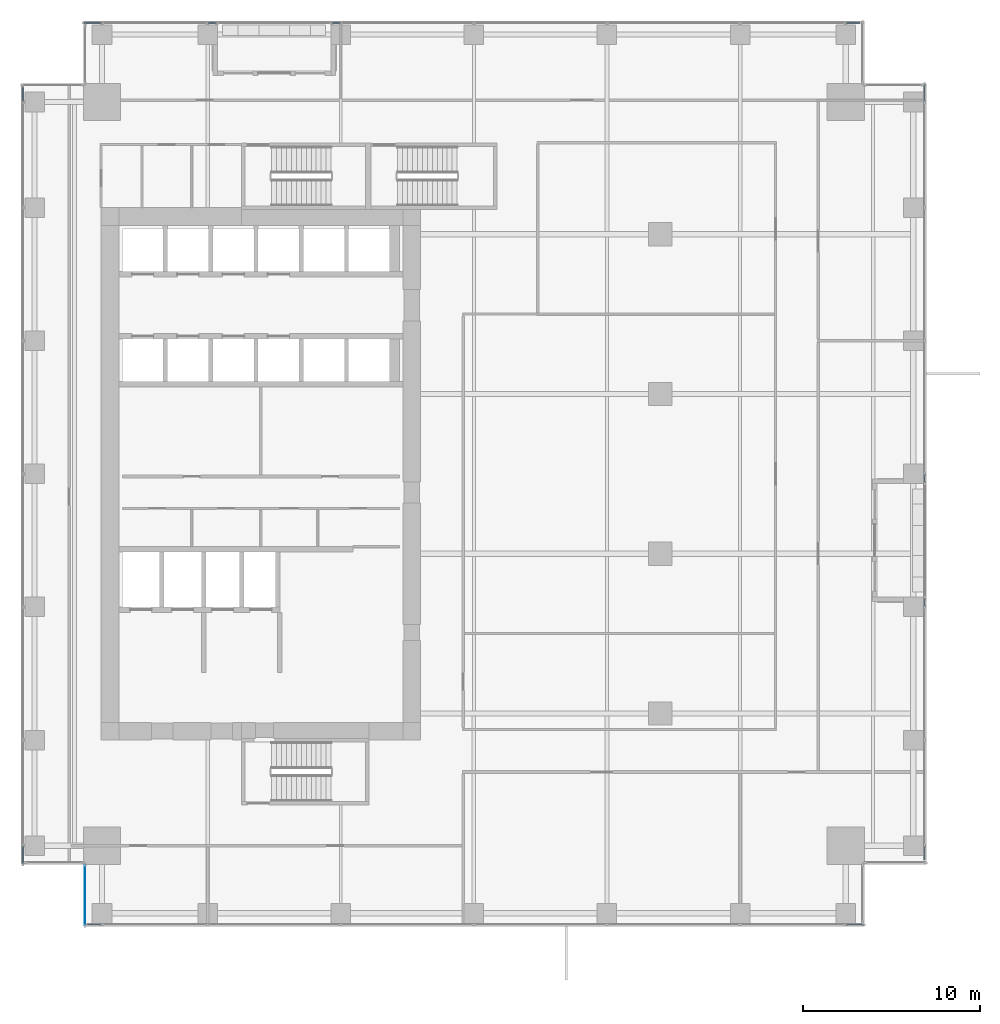
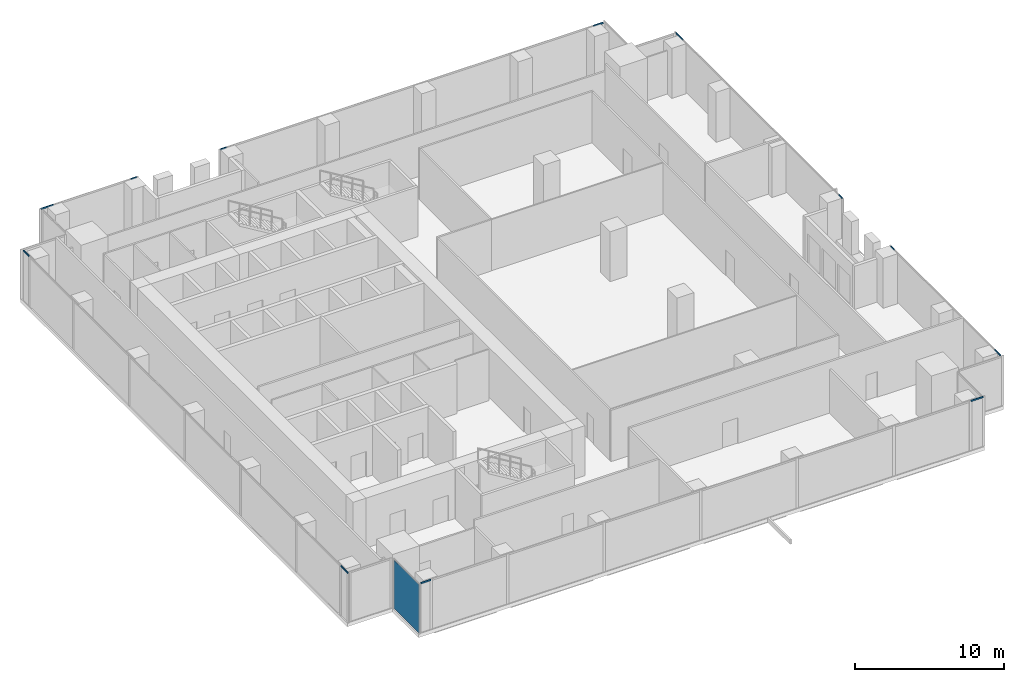
# One storey, part 22 of 34: 12 members, 1 plate, 7 elements without a shape of their own.
"""IFC4 building model written with IfcOpenShell, lengths in metres."""

import ifcopenshell
import ifcopenshell.guid

model = None  # the IFC model being written
_history = None  # IfcOwnerHistory: only IFC2X3 demands one
_inside = {}  # id of a spatial element -> (the spatial element, [elements in it])
_under = {}  # id of a project, library or spatial element -> (it, [spatial elements below it])
_declared = {}  # id of a project -> (the project, [libraries it declares])
_typed = {}  # id of a type object -> (the type object, [elements of that type])
_made_of = {}  # id of a material, layer set ... -> (it, [elements and type objects made of it])


def new_model(schema):
    """Start an empty IFC model of exactly this schema.

    Asked for "IFC4X3", IfcOpenShell would pick the latest addendum, in which some entities
    have other attributes; the version numbers below select the first issue.
    IFC2X3 requires an IfcOwnerHistory on every rooted entity: one is made here for all.
    """
    global model, _history
    if schema == "IFC4X3":
        model = ifcopenshell.file(schema_version=(4, 3, 0, 0))
    else:
        model = ifcopenshell.file(schema=schema)
    _inside.clear()
    _under.clear()
    _declared.clear()
    _typed.clear()
    _made_of.clear()
    _history = None
    if model.schema == "IFC2X3":
        org = make("IfcOrganization", Name="unknown")
        user = make(
            "IfcPersonAndOrganization",
            ThePerson=make("IfcPerson", FamilyName="unknown"),
            TheOrganization=org,
        )
        app = make(
            "IfcApplication",
            ApplicationDeveloper=org,
            Version="unknown",
            ApplicationFullName="unknown",
            ApplicationIdentifier="unknown",
        )
        _history = make(
            "IfcOwnerHistory",
            OwningUser=user,
            OwningApplication=app,
            ChangeAction="ADDED",
            CreationDate=0,
        )
    return model


def make(cls, **values):
    """One entity of the class cls with the attributes given. An attribute that is None is left unset."""
    return model.create_entity(
        cls, **{name: value for name, value in values.items() if value is not None}
    )


def rooted(cls, **values):
    """An entity with a GlobalId (a new one), such as an element, a storey or a relation."""
    return make(cls, GlobalId=ifcopenshell.guid.new(), OwnerHistory=_history, **values)


def si_unit(unit_type, name, prefix=None):
    """IfcSIUnit, for example si_unit("LENGTHUNIT", "METRE", prefix="MILLI")."""
    return make("IfcSIUnit", UnitType=unit_type, Prefix=prefix, Name=name)


def assignment(units):
    """IfcUnitAssignment: the units of a project."""
    return None if units is None else make("IfcUnitAssignment", Units=units)


def point(xyz):
    """IfcCartesianPoint."""
    return None if xyz is None else make("IfcCartesianPoint", Coordinates=xyz)


def direction(xyz):
    """IfcDirection."""
    return None if xyz is None else make("IfcDirection", DirectionRatios=xyz)


def frame(location, z_axis=None, x_axis=None):
    """IfcAxis2Placement3D, a coordinate frame: its origin and axes. An axis left out is left unset."""
    return make(
        "IfcAxis2Placement3D",
        Location=point(location),
        Axis=direction(z_axis),
        RefDirection=direction(x_axis),
    )


def frame_2d(location, x_axis=None):
    """IfcAxis2Placement2D, a coordinate frame in the plane: its origin and x axis."""
    return make(
        "IfcAxis2Placement2D", Location=point(location), RefDirection=direction(x_axis)
    )


def origin():
    """The frame at (0, 0, 0) with its axes left unset."""
    return frame((0.0, 0.0, 0.0))


def origin_2d():
    """The frame at (0, 0) in the plane with its x axis left unset."""
    return frame_2d((0.0, 0.0))


def place(relative_to, where):
    """IfcLocalPlacement: puts the frame where relative to a parent placement (None: the world)."""
    return make(
        "IfcLocalPlacement", PlacementRelTo=relative_to, RelativePlacement=where
    )


def context(
    kind, dimensions, precision=None, world=None, true_north=None, identifier=None
):
    """IfcGeometricRepresentationContext, for example the 3D "Model" context."""
    return make(
        "IfcGeometricRepresentationContext",
        ContextIdentifier=identifier,
        ContextType=kind,
        CoordinateSpaceDimension=dimensions,
        Precision=precision,
        WorldCoordinateSystem=world,
        TrueNorth=true_north,
    )


def subcontext(parent, identifier, kind, view, scale=None):
    """IfcGeometricRepresentationSubContext, for example "Body" below "Model"."""
    return make(
        "IfcGeometricRepresentationSubContext",
        ContextIdentifier=identifier,
        ContextType=kind,
        ParentContext=parent,
        TargetScale=scale,
        TargetView=view,
    )


def project(units=None, contexts=None):
    """IfcProject with its units and contexts."""
    return rooted(
        "IfcProject",
        Name="project",
        RepresentationContexts=contexts,
        UnitsInContext=assignment(units),
    )


def spatial(cls, under=None, at=None, **own):
    """A site, building, storey or space (cls), placed at a placement, below another one or the project."""
    s = rooted(cls, ObjectPlacement=at, **own)
    if under is not None:
        _under.setdefault(under.id(), (under, []))[1].append(s)
    return s


def profile(cls, at=None, kind="AREA", **sizes):
    """A parametric profile (cls). Its sizes go by their IFC names, for example OverallWidth=200.0."""
    return make(cls, ProfileType=kind, Position=at, **sizes)


def rectangle(**sizes):
    """IfcRectangleProfileDef."""
    return profile("IfcRectangleProfileDef", **sizes)


def hollow_rectangle(**sizes):
    """IfcRectangleHollowProfileDef."""
    return profile("IfcRectangleHollowProfileDef", **sizes)


def extrude(swept, where, along, depth):
    """IfcExtrudedAreaSolid: the profile swept, set in the frame where, extruded along a direction by depth."""
    return make(
        "IfcExtrudedAreaSolid",
        SweptArea=swept,
        Position=where,
        ExtrudedDirection=direction(along),
        Depth=depth,
    )


def shape(context_of_items, identifier, shape_type, items):
    """IfcShapeRepresentation: the items that make up one representation, for example the "Body"."""
    return make(
        "IfcShapeRepresentation",
        ContextOfItems=context_of_items,
        RepresentationIdentifier=identifier,
        RepresentationType=shape_type,
        Items=items,
    )


def source(mapping_origin, context_of_items, identifier, shape_type, items):
    """IfcRepresentationMap: a shape defined once, which mapped items show again and again."""
    return make(
        "IfcRepresentationMap",
        MappingOrigin=mapping_origin,
        MappedRepresentation=shape(context_of_items, identifier, shape_type, items),
    )


def transform(
    local_origin,
    x_axis=None,
    y_axis=None,
    z_axis=None,
    scale=None,
    scale2=None,
    scale3=None,
    uniform=True,
):
    """IfcCartesianTransformationOperator3D, or its non-uniform kind. x_axis, y_axis, z_axis: its Axis1, 2, 3."""
    if uniform:
        return make(
            "IfcCartesianTransformationOperator3D",
            Axis1=direction(x_axis),
            Axis2=direction(y_axis),
            LocalOrigin=point(local_origin),
            Scale=scale,
            Axis3=direction(z_axis),
        )
    return make(
        "IfcCartesianTransformationOperator3DnonUniform",
        Axis1=direction(x_axis),
        Axis2=direction(y_axis),
        LocalOrigin=point(local_origin),
        Scale=scale,
        Axis3=direction(z_axis),
        Scale2=scale2,
        Scale3=scale3,
    )


def mapped(mapping_source, mapping_target):
    """IfcMappedItem: shows the shape of a source again, moved by a transform."""
    return make(
        "IfcMappedItem", MappingSource=mapping_source, MappingTarget=mapping_target
    )


def material(Name=None, Category=None):
    """IfcMaterial."""
    return make("IfcMaterial", Name=Name, Category=Category)


def layer(
    of_material, thickness, ventilated=None, Name=None, Category=None, Priority=None
):
    """IfcMaterialLayer: one layer of a wall or slab, of a material (None: an air gap)."""
    return make(
        "IfcMaterialLayer",
        Material=of_material,
        LayerThickness=thickness,
        IsVentilated=ventilated,
        Name=Name,
        Category=Category,
        Priority=Priority,
    )


def layer_set(layers, Name=None):
    """IfcMaterialLayerSet."""
    return make("IfcMaterialLayerSet", MaterialLayers=layers, LayerSetName=Name)


def material_profile(
    of_material, cross_section, Name=None, Category=None, Priority=None
):
    """IfcMaterialProfile: a cross section and its material."""
    return make(
        "IfcMaterialProfile",
        Name=Name,
        Material=of_material,
        Profile=cross_section,
        Priority=Priority,
        Category=Category,
    )


def profile_set(profiles, Name=None, composite=None):
    """IfcMaterialProfileSet."""
    return make(
        "IfcMaterialProfileSet",
        Name=Name,
        MaterialProfiles=profiles,
        CompositeProfile=composite,
    )


def made_of(thing, what):
    """Note that an element or type object is made of a material, layer set ...; save() writes the relation."""
    if what is not None:
        _made_of.setdefault(what.id(), (what, []))[1].append(thing)
    return thing


def type_object(cls, material=None, **own):
    """A type object (cls), such as IfcWallType, which elements share."""
    return made_of(rooted(cls, **own), material)


def element(
    cls,
    number,
    at=None,
    inside=None,
    cuts=None,
    type_object=None,
    material=None,
    context=None,
    identifier="Body",
    shape_type=None,
    held_by="IfcProductDefinitionShape",
    body=None,
    shapes=None,
    **own,
):
    """One element of the class cls, such as IfcWall. Its Tag is "e" and its number.

    at: its placement. inside: the storey or other place that contains it. cuts: it is an
    opening in that element (IfcRelVoidsElement). A single representation is given by context,
    identifier, shape_type and body (its items); several are given by shapes. held_by: the class
    of the entity that holds the representations. save() writes the other relations.
    """
    e = rooted(cls, Tag="e%d" % number, ObjectPlacement=at, **own)
    if body is not None:
        shapes = [shape(context, identifier, shape_type, body)]
    if shapes is not None:
        e.Representation = make(held_by, Representations=shapes)
    if inside is not None:
        _inside.setdefault(inside.id(), (inside, []))[1].append(e)
    if cuts is not None:
        rooted(
            "IfcRelVoidsElement", RelatingBuildingElement=cuts, RelatedOpeningElement=e
        )
    if type_object is not None:
        _typed.setdefault(type_object.id(), (type_object, []))[1].append(e)
    return made_of(e, material)


def aggregate(whole, parts):
    """IfcRelAggregates: a whole, such as a stair, and the parts it consists of."""
    return rooted("IfcRelAggregates", RelatingObject=whole, RelatedObjects=parts)


def save(model, path):
    """Write the relations noted so far, then the file.

    IfcRelAggregates (storeys below a building ...), IfcRelContainedInSpatialStructure (elements
    in a storey), IfcRelDefinesByType, IfcRelAssociatesMaterial and IfcRelDeclares: one each for
    every whole, place, type object, material and project.
    """
    for whole, parts in _under.values():
        aggregate(whole, parts)
    for where, things in _inside.values():
        rooted(
            "IfcRelContainedInSpatialStructure",
            RelatedElements=things,
            RelatingStructure=where,
        )
    for kind, things in _typed.values():
        rooted("IfcRelDefinesByType", RelatedObjects=things, RelatingType=kind)
    for what, things in _made_of.values():
        rooted("IfcRelAssociatesMaterial", RelatedObjects=things, RelatingMaterial=what)
    for by, libraries in _declared.values():
        rooted("IfcRelDeclares", RelatingContext=by, RelatedDefinitions=libraries)
    model.write(path)


model = new_model("IFC4")

# Units and contexts
model_context = context("Model", 3, precision=1e-05, world=origin(), true_north=direction((0.0, 1.0)))
body_context = subcontext(model_context, "Body", "Model", "MODEL_VIEW")
ifc_project = project(units=[si_unit("LENGTHUNIT", "METRE"), si_unit("AREAUNIT", "SQUARE_METRE"), si_unit("VOLUMEUNIT", "CUBIC_METRE"), si_unit("PLANEANGLEUNIT", "RADIAN"), si_unit("MASSUNIT", "GRAM", prefix="KILO")], contexts=[model_context])

# Site, building, storey
site_placement = place(None, origin())
site = spatial("IfcSite", under=ifc_project, at=site_placement, CompositionType="ELEMENT")
building_placement = place(site_placement, origin())
building = spatial("IfcBuilding", under=site, at=building_placement, Name="Khomas Fold Tower", CompositionType="ELEMENT")
storey_placement = place(building_placement, frame((0.0, 0.0, 145.5)))
storey = spatial("IfcBuildingStorey", under=building, at=storey_placement, Name="L31", CompositionType="ELEMENT", Elevation=145.5)

# Curtain wall, member
ifc_material_1 = material(Name="Aluminium framed double glazing", Category="aluminium")
curtain_wall_type = type_object("IfcCurtainWallType", Name="SK-Unitised clear-glass wall, growing floors CW1", PredefinedType="NOTDEFINED", material=ifc_material_1)
curtain_wall_1_placement = place(storey_placement, origin())
curtain_wall_1 = element("IfcCurtainWall", 1, at=curtain_wall_1_placement, inside=storey, type_object=curtain_wall_type, Name="CW1 run L31 00-0", PredefinedType="NOTDEFINED")
ifc_material_2 = material(Name="Aluminium", Category="aluminium")
ifc_material_profile = material_profile(ifc_material_2, hollow_rectangle(XDim=0.06005859375, YDim=0.1201171875, WallThickness=0.00390625, at=origin_2d()), Name="SK-Unitised clear-glass wall, growing floors transom CW1-T")
ifc_profile_set = profile_set([ifc_material_profile], Name="Aluminium")
member_type = type_object("IfcMemberType", Name="SK-Unitised clear-glass wall, growing floors transom CW1-T", PredefinedType="USERDEFINED", material=ifc_profile_set)
shared_shape_1 = source(origin(), body_context, "Body", "SweptSolid", [
    extrude(hollow_rectangle(XDim=0.06005859375, YDim=0.1201171875, WallThickness=0.00390625, at=origin_2d()), origin(), (0.0, 0.0, 1.0), 0.760009765625),
])
member_1_placement = place(storey_placement, frame((5.260009765625, 1.60009765625, 4.0400390625), z_axis=(1.0, 0.0, 0.0), x_axis=(0.0, 1.0, 0.0)))
member_1 = element("IfcMember", 2, at=member_1_placement, type_object=member_type, Name="CW1 transom 1", ObjectType="TRANSOM", PredefinedType="USERDEFINED", context=body_context, shape_type="MappedRepresentation", body=[
    mapped(shared_shape_1, transform((0.0, 0.0, 0.0))),
])

curtain_wall_2_placement = place(storey_placement, origin())
curtain_wall_2 = element("IfcCurtainWall", 3, at=curtain_wall_2_placement, inside=storey, type_object=curtain_wall_type, Name="CW1 run L31 03-0", PredefinedType="NOTDEFINED")
member_2_placement = place(storey_placement, frame((52.39990234375, 5.260009765625, 4.0400390625), z_axis=(0.0, 1.0, 0.0), x_axis=(-1.0, 0.0, 0.0)))
member_2 = element("IfcMember", 4, at=member_2_placement, type_object=member_type, Name="CW1 transom 1", ObjectType="TRANSOM", PredefinedType="USERDEFINED", context=body_context, shape_type="MappedRepresentation", body=[
    mapped(shared_shape_1, transform((0.0, 0.0, 0.0))),
])

curtain_wall_3_placement = place(storey_placement, origin())
curtain_wall_3 = element("IfcCurtainWall", 5, at=curtain_wall_3_placement, inside=storey, type_object=curtain_wall_type, Name="CW1 run L31 06-0", PredefinedType="NOTDEFINED")
member_3_placement = place(storey_placement, frame((48.739990234375, 52.39990234375, 4.0400390625), z_axis=(-1.0, 0.0, 0.0), x_axis=(0.0, -1.0, 0.0)))
member_3 = element("IfcMember", 6, at=member_3_placement, type_object=member_type, Name="CW1 transom 1", ObjectType="TRANSOM", PredefinedType="USERDEFINED", context=body_context, shape_type="MappedRepresentation", body=[
    mapped(shared_shape_1, transform((0.0, 0.0, 0.0))),
])

curtain_wall_4_placement = place(storey_placement, origin())
curtain_wall_4 = element("IfcCurtainWall", 7, at=curtain_wall_4_placement, inside=storey, type_object=curtain_wall_type, Name="CW1 run L31 09-0", PredefinedType="NOTDEFINED")
member_4_placement = place(storey_placement, frame((1.60009765625, 48.739990234375, 4.0400390625), z_axis=(0.0, -1.0, 0.0), x_axis=(1.0, 0.0, 0.0)))
member_4 = element("IfcMember", 8, at=member_4_placement, type_object=member_type, Name="CW1 transom 1", ObjectType="TRANSOM", PredefinedType="USERDEFINED", context=body_context, shape_type="MappedRepresentation", body=[
    mapped(shared_shape_1, transform((0.0, 0.0, 0.0))),
])

# Member
shared_shape_2 = source(origin(), body_context, "Body", "SweptSolid", [
    extrude(hollow_rectangle(XDim=0.06005859375, YDim=0.1201171875, WallThickness=0.00390625, at=origin_2d()), origin(), (0.0, 0.0, 1.0), 0.9599609375),
])
member_5_placement = place(storey_placement, frame((47.97998046875, 1.60009765625, 4.0400390625), z_axis=(1.0, 0.0, 0.0), x_axis=(0.0, 1.0, 0.0)))
member_5 = element("IfcMember", 9, at=member_5_placement, type_object=member_type, Name="CW1 transom 8", ObjectType="TRANSOM", PredefinedType="USERDEFINED", context=body_context, shape_type="MappedRepresentation", body=[
    mapped(shared_shape_2, transform((0.0, 0.0, 0.0))),
])

aggregate(curtain_wall_1, [member_1, member_5])

# Curtain wall, member
curtain_wall_5_placement = place(storey_placement, origin())
curtain_wall_5 = element("IfcCurtainWall", 10, at=curtain_wall_5_placement, inside=storey, type_object=curtain_wall_type, Name="CW1 run L31 03-1", PredefinedType="NOTDEFINED")
member_6_placement = place(storey_placement, frame((52.39990234375, 47.97998046875, 4.0400390625), z_axis=(0.0, 1.0, 0.0), x_axis=(-1.0, 0.0, 0.0)))
member_6 = element("IfcMember", 11, at=member_6_placement, type_object=member_type, Name="CW1 transom 5", ObjectType="TRANSOM", PredefinedType="USERDEFINED", context=body_context, shape_type="MappedRepresentation", body=[
    mapped(shared_shape_2, transform((0.0, 0.0, 0.0))),
])

curtain_wall_6_placement = place(storey_placement, origin())
curtain_wall_6 = element("IfcCurtainWall", 12, at=curtain_wall_6_placement, inside=storey, type_object=curtain_wall_type, Name="CW1 run L31 06-1", PredefinedType="NOTDEFINED")
member_7_placement = place(storey_placement, frame((6.02001953125, 52.39990234375, 4.0400390625), z_axis=(-1.0, 0.0, 0.0), x_axis=(0.0, -1.0, 0.0)))
member_7 = element("IfcMember", 13, at=member_7_placement, type_object=member_type, Name="CW1 transom 3", ObjectType="TRANSOM", PredefinedType="USERDEFINED", context=body_context, shape_type="MappedRepresentation", body=[
    mapped(shared_shape_2, transform((0.0, 0.0, 0.0))),
])

# Member
member_8_placement = place(storey_placement, frame((1.60009765625, 6.02001953125, 4.0400390625), z_axis=(0.0, -1.0, 0.0), x_axis=(1.0, 0.0, 0.0)))
member_8 = element("IfcMember", 14, at=member_8_placement, type_object=member_type, Name="CW1 transom 8", ObjectType="TRANSOM", PredefinedType="USERDEFINED", context=body_context, shape_type="MappedRepresentation", body=[
    mapped(shared_shape_2, transform((0.0, 0.0, 0.0))),
])

aggregate(curtain_wall_4, [member_4, member_8])

shared_shape_3 = source(origin(), body_context, "Body", "SweptSolid", [
    extrude(hollow_rectangle(XDim=0.06005859375, YDim=0.1201171875, WallThickness=0.00390625, at=origin_2d()), origin(), (0.0, 0.0, 1.0), 0.4599609375),
])
member_9_placement = place(storey_placement, frame((52.39990234375, 19.530029296875, 4.0400390625), z_axis=(0.0, 1.0, 0.0), x_axis=(-1.0, 0.0, 0.0)))
member_9 = element("IfcMember", 15, at=member_9_placement, type_object=member_type, Name="CW1 transom 4", ObjectType="TRANSOM", PredefinedType="USERDEFINED", context=body_context, shape_type="MappedRepresentation", body=[
    mapped(shared_shape_3, transform((0.0, 0.0, 0.0))),
])

aggregate(curtain_wall_2, [member_2, member_9])

member_10_placement = place(storey_placement, frame((52.39990234375, 26.510009765625, 4.0400390625), z_axis=(0.0, 1.0, 0.0), x_axis=(-1.0, 0.0, 0.0)))
member_10 = element("IfcMember", 16, at=member_10_placement, type_object=member_type, Name="CW1 transom 1", ObjectType="TRANSOM", PredefinedType="USERDEFINED", context=body_context, shape_type="MappedRepresentation", body=[
    mapped(shared_shape_3, transform((0.0, 0.0, 0.0))),
])

aggregate(curtain_wall_5, [member_10, member_6])

member_11_placement = place(storey_placement, frame((19.469970703125, 52.39990234375, 4.0400390625), z_axis=(-1.0, 0.0, 0.0), x_axis=(0.0, -1.0, 0.0)))
member_11 = element("IfcMember", 17, at=member_11_placement, type_object=member_type, Name="CW1 transom 6", ObjectType="TRANSOM", PredefinedType="USERDEFINED", context=body_context, shape_type="MappedRepresentation", body=[
    mapped(shared_shape_3, transform((0.0, 0.0, 0.0))),
])

aggregate(curtain_wall_3, [member_3, member_11])

member_12_placement = place(storey_placement, frame((12.489990234375, 52.39990234375, 4.0400390625), z_axis=(-1.0, 0.0, 0.0), x_axis=(0.0, -1.0, 0.0)))
member_12 = element("IfcMember", 18, at=member_12_placement, type_object=member_type, Name="CW1 transom 1", ObjectType="TRANSOM", PredefinedType="USERDEFINED", context=body_context, shape_type="MappedRepresentation", body=[
    mapped(shared_shape_3, transform((0.0, 0.0, 0.0))),
])

aggregate(curtain_wall_6, [member_12, member_7])

# Curtain wall, plate
curtain_wall_7_placement = place(storey_placement, origin())
curtain_wall_7 = element("IfcCurtainWall", 19, at=curtain_wall_7_placement, inside=storey, type_object=curtain_wall_type, Name="CW1 corner return L31 11", PredefinedType="NOTDEFINED")
ifc_material_3 = material(Name="Clear double glazed unit")
ifc_layer = layer(ifc_material_3, 0.031982421875)
ifc_layer_set = layer_set([ifc_layer], Name="Clear double glazed unit")
plate_type = type_object("IfcPlateType", Name="SK-Unitised clear-glass wall, growing floors glass panel CW1-P", PredefinedType="CURTAIN_PANEL", material=ifc_layer_set)
shared_shape_4 = source(origin(), body_context, "Body", "SweptSolid", [
    extrude(rectangle(XDim=3.3798828125, YDim=0.031982421875, at=origin_2d()), origin(), (0.0, 0.0, 1.0), 3.97998046875),
])
plate_placement = place(storey_placement, frame((5.10009765625, 3.25, 0.0), z_axis=(0.0, 0.0, 1.0), x_axis=(0.0, -1.0, 0.0)))
plate = element("IfcPlate", 20, at=plate_placement, type_object=plate_type, Name="CW1 glass panel 1", PredefinedType="CURTAIN_PANEL", context=body_context, shape_type="MappedRepresentation", body=[
    mapped(shared_shape_4, transform((0.0, 0.0, 0.0))),
])
aggregate(curtain_wall_7, [plate])

save(model, "model.ifc")
